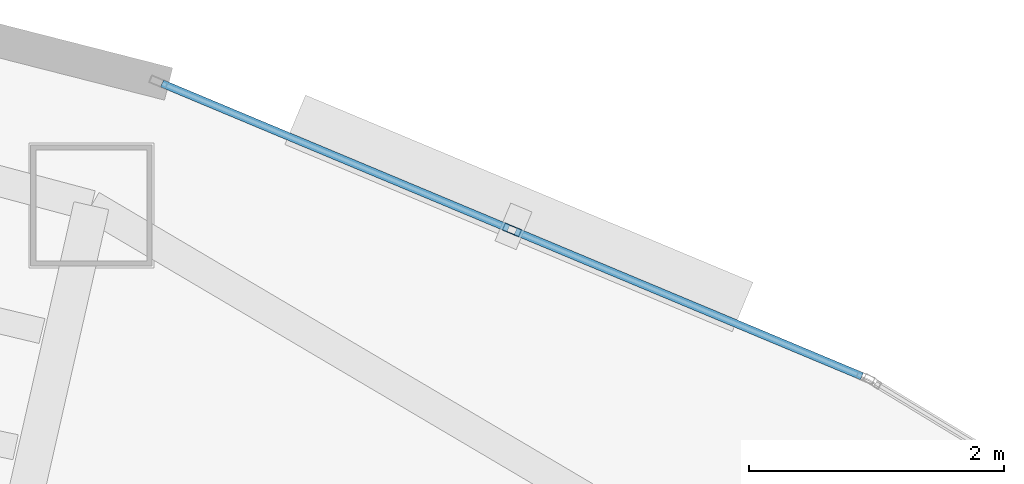
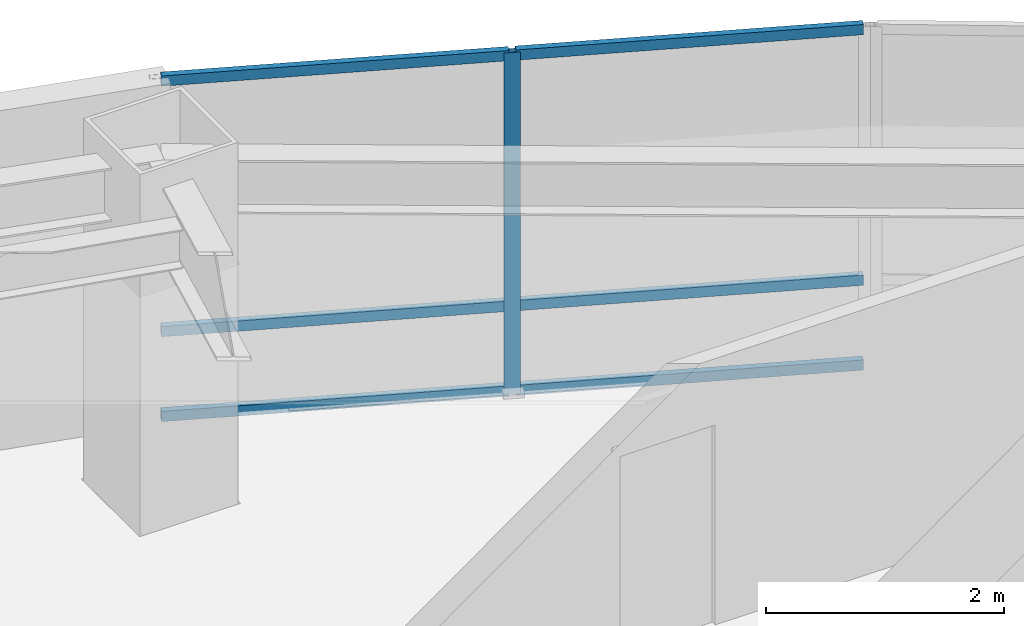
# One storey, part 10 of 15: 7 members, 1 element without a shape of its own.
"""IFC4 building model written with IfcOpenShell, lengths in metres."""

from ifc_helpers import new_model, si_unit, direction, frame, origin, origin_2d, place, context, subcontext, project, spatial, hollow_rectangle, extrude, material, layer, layer_set, material_profile, profile_set, type_object, element, aggregate, save


model = new_model("IFC4")

# Units and contexts
model_context = context("Model", 3, precision=1e-05, world=origin(), true_north=direction((0.0, 1.0)))
body_context = subcontext(model_context, "Body", "Model", "MODEL_VIEW")
ifc_project = project(units=[si_unit("LENGTHUNIT", "METRE"), si_unit("AREAUNIT", "SQUARE_METRE"), si_unit("VOLUMEUNIT", "CUBIC_METRE"), si_unit("PLANEANGLEUNIT", "RADIAN"), si_unit("MASSUNIT", "GRAM", prefix="KILO")], contexts=[model_context])

# Site, building, storey
site_placement = place(None, origin())
site = spatial("IfcSite", under=ifc_project, at=site_placement, CompositionType="ELEMENT")
building_placement = place(site_placement, origin())
building = spatial("IfcBuilding", under=site, at=building_placement, Name="Menara Vayukalpa", CompositionType="ELEMENT")
storey_placement = place(building_placement, frame((0.0, 0.0, 176.639892578125)))
storey = spatial("IfcBuildingStorey", under=building, at=storey_placement, Name="L44", CompositionType="ELEMENT", Elevation=176.639892578125)

# Curtain wall, members
ifc_material_1 = material(Name="Anodised Terracotta Aluminium Alloy 6063-T6", Category="masonry")
ifc_layer = layer(ifc_material_1, 0.139892578125)
ifc_layer_set = layer_set([ifc_layer], Name="Anodised Terracotta Aluminium Alloy 6063-T6")
curtain_wall_type = type_object("IfcCurtainWallType", Name="CW-CW5", PredefinedType="USERDEFINED", material=ifc_layer_set)
curtain_wall_placement = place(storey_placement, origin())
curtain_wall = element("IfcCurtainWall", 1, at=curtain_wall_placement, inside=storey, type_object=curtain_wall_type, Name="L44 High Rise Tapered Curtain Wall CW5 05", ObjectType="UNITISED", PredefinedType="USERDEFINED")
ifc_material_2 = material(Name="Anodised Terracotta Aluminium Alloy 6063-T6", Category="masonry")
ifc_material_profile_1 = material_profile(ifc_material_2, hollow_rectangle(XDim=0.06005859375, YDim=0.139892578125, WallThickness=0.00341796875, at=origin_2d()), Name="ALU 60x140x3.5")
ifc_profile_set_1 = profile_set([ifc_material_profile_1], Name="Anodised Terracotta Aluminium Alloy 6063-T6")
member_type_1 = type_object("IfcMemberType", Name="CWM-CW5", PredefinedType="MULLION", material=ifc_profile_set_1)
member_1_placement = place(storey_placement, frame((26.686279296875, 32.518310546875, 0.0), z_axis=(0.0, 0.0, 1.0), x_axis=(-0.385902834406, -0.922539431351, 0.0)))
member_1 = element("IfcMember", 2, at=member_1_placement, type_object=member_type_1, Name="CW5 mullion 2", PredefinedType="MULLION", context=body_context, shape_type="SweptSolid", body=[
    extrude(hollow_rectangle(XDim=0.06005859375, YDim=0.139892578125, WallThickness=0.00341796875, at=origin_2d()), origin(), (0.0, 0.0, 1.0), 3.5),
])
ifc_material_3 = material(Name="Anodised Terracotta Aluminium Alloy 6063-T6", Category="masonry")
ifc_material_profile_2 = material_profile(ifc_material_3, hollow_rectangle(XDim=0.06005859375, YDim=0.10498046875, WallThickness=0.0029296875, at=origin_2d()), Name="ALU 60x105x3")
ifc_profile_set_2 = profile_set([ifc_material_profile_2], Name="Anodised Terracotta Aluminium Alloy 6063-T6")
member_type_2 = type_object("IfcMemberType", Name="CWT-CW5", PredefinedType="USERDEFINED", material=ifc_profile_set_2)
member_2_placement = place(storey_placement, frame((29.428466796875, 31.371337890625, 0.030029296875), z_axis=(-0.922543360613, 0.385893440976, 0.0), x_axis=(-0.385893440976, -0.922543360613, 0.0)))
member_2 = element("IfcMember", 3, at=member_2_placement, type_object=member_type_2, Name="CW5 transom 1.1", ObjectType="TRANSOM", PredefinedType="USERDEFINED", context=body_context, shape_type="SweptSolid", body=[
    extrude(hollow_rectangle(XDim=0.06005859375, YDim=0.10498046875, WallThickness=0.0029296875, at=origin_2d()), origin(), (0.0, 0.0, 1.0), 2.942626953125),
])
member_3_placement = place(storey_placement, frame((29.428466796875, 31.371337890625, 0.900146484375), z_axis=(-0.922543360613, 0.385893440976, 0.0), x_axis=(-0.385893440976, -0.922543360613, 0.0)))
member_3 = element("IfcMember", 4, at=member_3_placement, type_object=member_type_2, Name="CW5 transom 1.2", ObjectType="TRANSOM", PredefinedType="USERDEFINED", context=body_context, shape_type="SweptSolid", body=[
    extrude(hollow_rectangle(XDim=0.06005859375, YDim=0.10498046875, WallThickness=0.0029296875, at=origin_2d()), origin(), (0.0, 0.0, 1.0), 2.942626953125),
])
member_4_placement = place(storey_placement, frame((29.428466796875, 31.371337890625, 3.47021484375), z_axis=(-0.922543360613, 0.385893440976, 0.0), x_axis=(-0.385893440976, -0.922543360613, 0.0)))
member_4 = element("IfcMember", 5, at=member_4_placement, type_object=member_type_2, Name="CW5 transom 1.3", ObjectType="TRANSOM", PredefinedType="USERDEFINED", context=body_context, shape_type="SweptSolid", body=[
    extrude(hollow_rectangle(XDim=0.06005859375, YDim=0.10498046875, WallThickness=0.0029296875, at=origin_2d()), origin(), (0.0, 0.0, 1.0), 2.942626953125),
])
member_5_placement = place(storey_placement, frame((26.658447265625, 32.530029296875, 0.030029296875), z_axis=(-0.922543360613, 0.385893440976, 0.0), x_axis=(-0.385893440976, -0.922543360613, 0.0)))
member_5 = element("IfcMember", 6, at=member_5_placement, type_object=member_type_2, Name="CW5 transom 2.1", ObjectType="TRANSOM", PredefinedType="USERDEFINED", context=body_context, shape_type="SweptSolid", body=[
    extrude(hollow_rectangle(XDim=0.06005859375, YDim=0.10498046875, WallThickness=0.0029296875, at=origin_2d()), origin(), (0.0, 0.0, 1.0), 2.942626953125),
])
member_6_placement = place(storey_placement, frame((26.658447265625, 32.530029296875, 0.900146484375), z_axis=(-0.922543360613, 0.385893440976, 0.0), x_axis=(-0.385893440976, -0.922543360613, 0.0)))
member_6 = element("IfcMember", 7, at=member_6_placement, type_object=member_type_2, Name="CW5 transom 2.2", ObjectType="TRANSOM", PredefinedType="USERDEFINED", context=body_context, shape_type="SweptSolid", body=[
    extrude(hollow_rectangle(XDim=0.06005859375, YDim=0.10498046875, WallThickness=0.0029296875, at=origin_2d()), origin(), (0.0, 0.0, 1.0), 2.942626953125),
])
member_7_placement = place(storey_placement, frame((26.658447265625, 32.530029296875, 3.47021484375), z_axis=(-0.922543360613, 0.385893440976, 0.0), x_axis=(-0.385893440976, -0.922543360613, 0.0)))
member_7 = element("IfcMember", 8, at=member_7_placement, type_object=member_type_2, Name="CW5 transom 2.3", ObjectType="TRANSOM", PredefinedType="USERDEFINED", context=body_context, shape_type="SweptSolid", body=[
    extrude(hollow_rectangle(XDim=0.06005859375, YDim=0.10498046875, WallThickness=0.0029296875, at=origin_2d()), origin(), (0.0, 0.0, 1.0), 2.942626953125),
])
aggregate(curtain_wall, [member_1, member_2, member_3, member_4, member_5, member_6, member_7])

save(model, "model.ifc")
